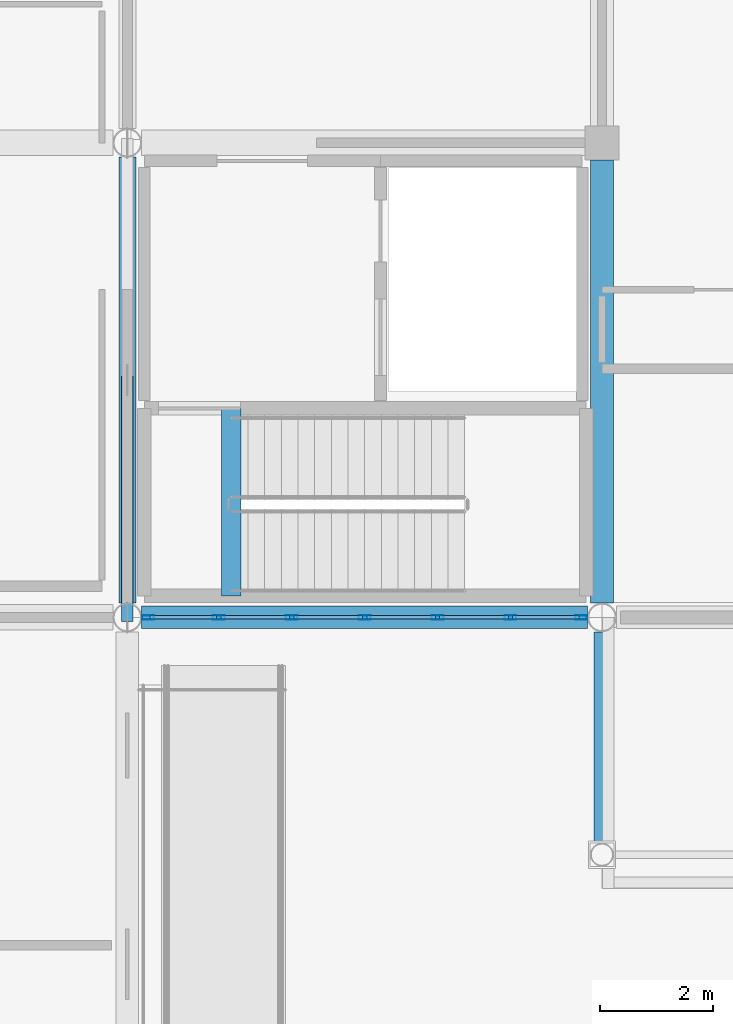
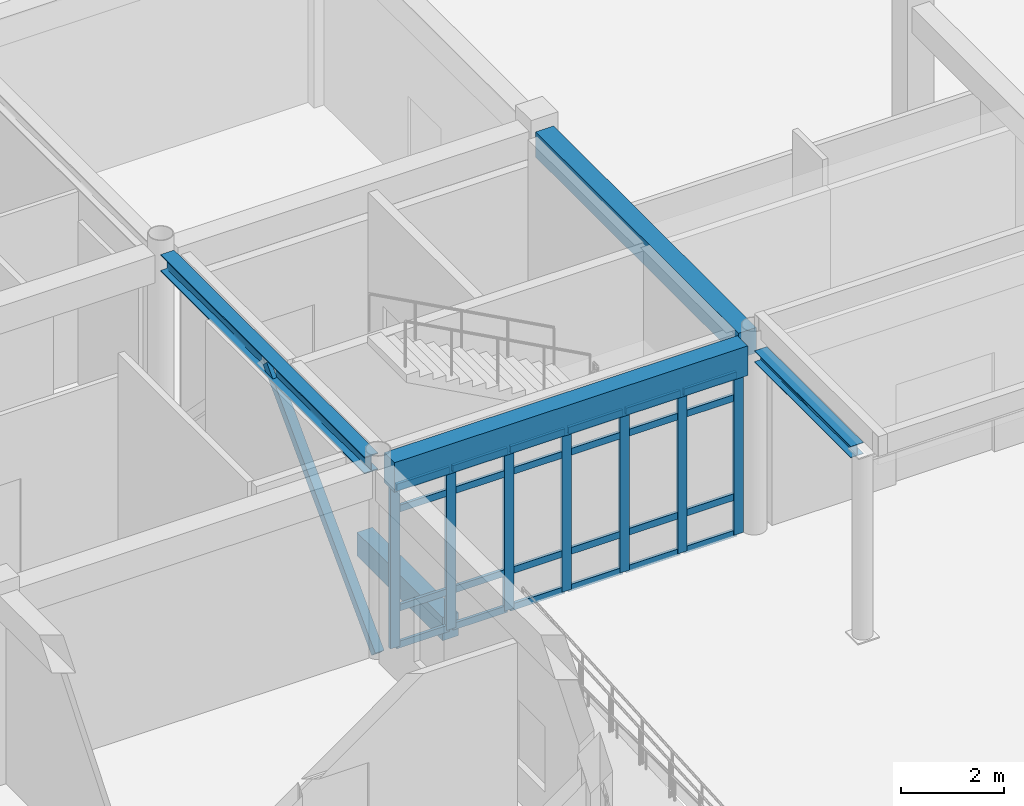
# One storey, part 14 of 138: 32 members, 5 beams, 1 element without a shape of its own.
"""IFC4 building model written with IfcOpenShell, lengths in metres."""

import ifcopenshell
import ifcopenshell.guid

model = None  # the IFC model being written
_history = None  # IfcOwnerHistory: only IFC2X3 demands one
_inside = {}  # id of a spatial element -> (the spatial element, [elements in it])
_under = {}  # id of a project, library or spatial element -> (it, [spatial elements below it])
_declared = {}  # id of a project -> (the project, [libraries it declares])
_typed = {}  # id of a type object -> (the type object, [elements of that type])
_made_of = {}  # id of a material, layer set ... -> (it, [elements and type objects made of it])


def new_model(schema):
    """Start an empty IFC model of exactly this schema.

    Asked for "IFC4X3", IfcOpenShell would pick the latest addendum, in which some entities
    have other attributes; the version numbers below select the first issue.
    IFC2X3 requires an IfcOwnerHistory on every rooted entity: one is made here for all.
    """
    global model, _history
    if schema == "IFC4X3":
        model = ifcopenshell.file(schema_version=(4, 3, 0, 0))
    else:
        model = ifcopenshell.file(schema=schema)
    _inside.clear()
    _under.clear()
    _declared.clear()
    _typed.clear()
    _made_of.clear()
    _history = None
    if model.schema == "IFC2X3":
        org = make("IfcOrganization", Name="unknown")
        user = make(
            "IfcPersonAndOrganization",
            ThePerson=make("IfcPerson", FamilyName="unknown"),
            TheOrganization=org,
        )
        app = make(
            "IfcApplication",
            ApplicationDeveloper=org,
            Version="unknown",
            ApplicationFullName="unknown",
            ApplicationIdentifier="unknown",
        )
        _history = make(
            "IfcOwnerHistory",
            OwningUser=user,
            OwningApplication=app,
            ChangeAction="ADDED",
            CreationDate=0,
        )
    return model


def make(cls, **values):
    """One entity of the class cls with the attributes given. An attribute that is None is left unset."""
    return model.create_entity(
        cls, **{name: value for name, value in values.items() if value is not None}
    )


def rooted(cls, **values):
    """An entity with a GlobalId (a new one), such as an element, a storey or a relation."""
    return make(cls, GlobalId=ifcopenshell.guid.new(), OwnerHistory=_history, **values)


def si_unit(unit_type, name, prefix=None):
    """IfcSIUnit, for example si_unit("LENGTHUNIT", "METRE", prefix="MILLI")."""
    return make("IfcSIUnit", UnitType=unit_type, Prefix=prefix, Name=name)


def assignment(units):
    """IfcUnitAssignment: the units of a project."""
    return None if units is None else make("IfcUnitAssignment", Units=units)


def point(xyz):
    """IfcCartesianPoint."""
    return None if xyz is None else make("IfcCartesianPoint", Coordinates=xyz)


def direction(xyz):
    """IfcDirection."""
    return None if xyz is None else make("IfcDirection", DirectionRatios=xyz)


def frame(location, z_axis=None, x_axis=None):
    """IfcAxis2Placement3D, a coordinate frame: its origin and axes. An axis left out is left unset."""
    return make(
        "IfcAxis2Placement3D",
        Location=point(location),
        Axis=direction(z_axis),
        RefDirection=direction(x_axis),
    )


def frame_2d(location, x_axis=None):
    """IfcAxis2Placement2D, a coordinate frame in the plane: its origin and x axis."""
    return make(
        "IfcAxis2Placement2D", Location=point(location), RefDirection=direction(x_axis)
    )


def origin():
    """The frame at (0, 0, 0) with its axes left unset."""
    return frame((0.0, 0.0, 0.0))


def origin_2d():
    """The frame at (0, 0) in the plane with its x axis left unset."""
    return frame_2d((0.0, 0.0))


def place(relative_to, where):
    """IfcLocalPlacement: puts the frame where relative to a parent placement (None: the world)."""
    return make(
        "IfcLocalPlacement", PlacementRelTo=relative_to, RelativePlacement=where
    )


def context(
    kind, dimensions, precision=None, world=None, true_north=None, identifier=None
):
    """IfcGeometricRepresentationContext, for example the 3D "Model" context."""
    return make(
        "IfcGeometricRepresentationContext",
        ContextIdentifier=identifier,
        ContextType=kind,
        CoordinateSpaceDimension=dimensions,
        Precision=precision,
        WorldCoordinateSystem=world,
        TrueNorth=true_north,
    )


def subcontext(parent, identifier, kind, view, scale=None):
    """IfcGeometricRepresentationSubContext, for example "Body" below "Model"."""
    return make(
        "IfcGeometricRepresentationSubContext",
        ContextIdentifier=identifier,
        ContextType=kind,
        ParentContext=parent,
        TargetScale=scale,
        TargetView=view,
    )


def project(units=None, contexts=None):
    """IfcProject with its units and contexts."""
    return rooted(
        "IfcProject",
        Name="project",
        RepresentationContexts=contexts,
        UnitsInContext=assignment(units),
    )


def spatial(cls, under=None, at=None, **own):
    """A site, building, storey or space (cls), placed at a placement, below another one or the project."""
    s = rooted(cls, ObjectPlacement=at, **own)
    if under is not None:
        _under.setdefault(under.id(), (under, []))[1].append(s)
    return s


def profile(cls, at=None, kind="AREA", **sizes):
    """A parametric profile (cls). Its sizes go by their IFC names, for example OverallWidth=200.0."""
    return make(cls, ProfileType=kind, Position=at, **sizes)


def rectangle(**sizes):
    """IfcRectangleProfileDef."""
    return profile("IfcRectangleProfileDef", **sizes)


def hollow_rectangle(**sizes):
    """IfcRectangleHollowProfileDef."""
    return profile("IfcRectangleHollowProfileDef", **sizes)


def i_section(**sizes):
    """IfcIShapeProfileDef."""
    return profile("IfcIShapeProfileDef", **sizes)


def extrude(swept, where, along, depth):
    """IfcExtrudedAreaSolid: the profile swept, set in the frame where, extruded along a direction by depth."""
    return make(
        "IfcExtrudedAreaSolid",
        SweptArea=swept,
        Position=where,
        ExtrudedDirection=direction(along),
        Depth=depth,
    )


def shape(context_of_items, identifier, shape_type, items):
    """IfcShapeRepresentation: the items that make up one representation, for example the "Body"."""
    return make(
        "IfcShapeRepresentation",
        ContextOfItems=context_of_items,
        RepresentationIdentifier=identifier,
        RepresentationType=shape_type,
        Items=items,
    )


def material(Name=None, Category=None):
    """IfcMaterial."""
    return make("IfcMaterial", Name=Name, Category=Category)


def layer(
    of_material, thickness, ventilated=None, Name=None, Category=None, Priority=None
):
    """IfcMaterialLayer: one layer of a wall or slab, of a material (None: an air gap)."""
    return make(
        "IfcMaterialLayer",
        Material=of_material,
        LayerThickness=thickness,
        IsVentilated=ventilated,
        Name=Name,
        Category=Category,
        Priority=Priority,
    )


def layer_set(layers, Name=None):
    """IfcMaterialLayerSet."""
    return make("IfcMaterialLayerSet", MaterialLayers=layers, LayerSetName=Name)


def material_profile(
    of_material, cross_section, Name=None, Category=None, Priority=None
):
    """IfcMaterialProfile: a cross section and its material."""
    return make(
        "IfcMaterialProfile",
        Name=Name,
        Material=of_material,
        Profile=cross_section,
        Priority=Priority,
        Category=Category,
    )


def profile_set(profiles, Name=None, composite=None):
    """IfcMaterialProfileSet."""
    return make(
        "IfcMaterialProfileSet",
        Name=Name,
        MaterialProfiles=profiles,
        CompositeProfile=composite,
    )


def made_of(thing, what):
    """Note that an element or type object is made of a material, layer set ...; save() writes the relation."""
    if what is not None:
        _made_of.setdefault(what.id(), (what, []))[1].append(thing)
    return thing


def type_object(cls, material=None, **own):
    """A type object (cls), such as IfcWallType, which elements share."""
    return made_of(rooted(cls, **own), material)


def element(
    cls,
    number,
    at=None,
    inside=None,
    cuts=None,
    type_object=None,
    material=None,
    context=None,
    identifier="Body",
    shape_type=None,
    held_by="IfcProductDefinitionShape",
    body=None,
    shapes=None,
    **own,
):
    """One element of the class cls, such as IfcWall. Its Tag is "e" and its number.

    at: its placement. inside: the storey or other place that contains it. cuts: it is an
    opening in that element (IfcRelVoidsElement). A single representation is given by context,
    identifier, shape_type and body (its items); several are given by shapes. held_by: the class
    of the entity that holds the representations. save() writes the other relations.
    """
    e = rooted(cls, Tag="e%d" % number, ObjectPlacement=at, **own)
    if body is not None:
        shapes = [shape(context, identifier, shape_type, body)]
    if shapes is not None:
        e.Representation = make(held_by, Representations=shapes)
    if inside is not None:
        _inside.setdefault(inside.id(), (inside, []))[1].append(e)
    if cuts is not None:
        rooted(
            "IfcRelVoidsElement", RelatingBuildingElement=cuts, RelatedOpeningElement=e
        )
    if type_object is not None:
        _typed.setdefault(type_object.id(), (type_object, []))[1].append(e)
    return made_of(e, material)


def aggregate(whole, parts):
    """IfcRelAggregates: a whole, such as a stair, and the parts it consists of."""
    return rooted("IfcRelAggregates", RelatingObject=whole, RelatedObjects=parts)


def save(model, path):
    """Write the relations noted so far, then the file.

    IfcRelAggregates (storeys below a building ...), IfcRelContainedInSpatialStructure (elements
    in a storey), IfcRelDefinesByType, IfcRelAssociatesMaterial and IfcRelDeclares: one each for
    every whole, place, type object, material and project.
    """
    for whole, parts in _under.values():
        aggregate(whole, parts)
    for where, things in _inside.values():
        rooted(
            "IfcRelContainedInSpatialStructure",
            RelatedElements=things,
            RelatingStructure=where,
        )
    for kind, things in _typed.values():
        rooted("IfcRelDefinesByType", RelatedObjects=things, RelatingType=kind)
    for what, things in _made_of.values():
        rooted("IfcRelAssociatesMaterial", RelatedObjects=things, RelatingMaterial=what)
    for by, libraries in _declared.values():
        rooted("IfcRelDeclares", RelatingContext=by, RelatedDefinitions=libraries)
    model.write(path)


model = new_model("IFC4")

# Units and contexts
model_context = context("Model", 3, precision=1e-05, world=origin(), true_north=direction((0.0, 1.0)))
body_context = subcontext(model_context, "Body", "Model", "MODEL_VIEW")
ifc_project = project(units=[si_unit("LENGTHUNIT", "METRE"), si_unit("AREAUNIT", "SQUARE_METRE"), si_unit("VOLUMEUNIT", "CUBIC_METRE"), si_unit("PLANEANGLEUNIT", "RADIAN"), si_unit("MASSUNIT", "GRAM", prefix="KILO")], contexts=[model_context])

# Site, building, storey
site_placement = place(None, origin())
site = spatial("IfcSite", under=ifc_project, at=site_placement, CompositionType="ELEMENT")
building_placement = place(site_placement, origin())
building = spatial("IfcBuilding", under=site, at=building_placement, Name="Bramfleet General Hospital", CompositionType="ELEMENT")
storey_placement = place(building_placement, origin())
storey = spatial("IfcBuildingStorey", under=building, at=storey_placement, Name="L00", CompositionType="ELEMENT", Elevation=0.0)

# Beams
ifc_material_1 = material(Name="Steel S355", Category="steel")
ifc_material_profile_1 = material_profile(ifc_material_1, i_section(OverallWidth=0.280029296875, OverallDepth=0.27001953125, WebThickness=0.008056640625, FlangeThickness=0.012939453125, FilletRadius=0.02392578125, at=origin_2d()), Name="HEA 280")
ifc_profile_set_1 = profile_set([ifc_material_profile_1], Name="Steel S355")
beam_type_1 = type_object("IfcBeamType", Name="BM-HEA280", PredefinedType="BEAM", material=ifc_profile_set_1)
beam_1_placement = place(storey_placement, frame((58.800048828125, 12.81005859375, 4.2451171875), z_axis=(0.0, 1.0, 0.0), x_axis=(-1.0, 0.0, 0.0)))
element("IfcBeam", 1, at=beam_1_placement, inside=storey, type_object=beam_type_1, Name="Canopy Outrigger Beam 1", PredefinedType="BEAM", context=body_context, shape_type="SweptSolid", body=[
    extrude(i_section(OverallWidth=0.280029296875, OverallDepth=0.27001953125, WebThickness=0.008056640625, FlangeThickness=0.012939453125, FilletRadius=0.02392578125, at=origin_2d()), origin(), (0.0, 0.0, 1.0), 3.72998046875),
])
ifc_material_profile_2 = material_profile(ifc_material_1, i_section(OverallWidth=0.300048828125, OverallDepth=0.39990234375, WebThickness=0.013427734375, FlangeThickness=0.02392578125, FilletRadius=0.027099609375, at=origin_2d()), Name="HEB 400")
ifc_profile_set_2 = profile_set([ifc_material_profile_2], Name="Steel S355")
beam_type_2 = type_object("IfcBeamType", Name="BM-HEB400", PredefinedType="BEAM", material=ifc_profile_set_2)
beam_2_placement = place(storey_placement, frame((50.39990234375, 17.053955078125, 4.300048828125), z_axis=(0.0, 1.0, 0.0), x_axis=(-1.0, 0.0, 0.0)))
element("IfcBeam", 2, at=beam_2_placement, inside=storey, type_object=beam_type_2, Name="L00 Grid Beam Y 06-02", PredefinedType="BEAM", context=body_context, shape_type="SweptSolid", body=[
    extrude(i_section(OverallWidth=0.300048828125, OverallDepth=0.39990234375, WebThickness=0.013427734375, FlangeThickness=0.02392578125, FilletRadius=0.027099609375, at=origin_2d()), origin(), (0.0, 0.0, 1.0), 7.89208984375),
])
ifc_material_2 = material(Name="Concrete C35/45", Category="concrete")
ifc_material_profile_3 = material_profile(ifc_material_2, rectangle(XDim=0.35009765625, YDim=0.550048828125, at=origin_2d()), Name="RC BM 550x350")
ifc_profile_set_3 = profile_set([ifc_material_profile_3], Name="Concrete C35/45")
beam_type_3 = type_object("IfcBeamType", Name="BM-RC550", PredefinedType="BEAM", material=ifc_profile_set_3)
beam_3_placement = place(storey_placement, frame((52.239990234375, 17.179931640625, -0.27490234375), z_axis=(0.0, 1.0, 0.0), x_axis=(-1.0, 0.0, 0.0)))
element("IfcBeam", 3, at=beam_3_placement, inside=storey, type_object=beam_type_3, Name="L00 C1 Stairwell Trimmer Beam", PredefinedType="BEAM", context=body_context, shape_type="SweptSolid", body=[
    extrude(rectangle(XDim=0.35009765625, YDim=0.550048828125, at=origin_2d()), origin(), (0.0, 0.0, 1.0), 3.320068359375),
])
ifc_material_profile_4 = material_profile(ifc_material_2, rectangle(XDim=0.39990234375, YDim=0.60009765625, at=origin_2d()), Name="RC BM 600x400")
ifc_profile_set_4 = profile_set([ifc_material_profile_4], Name="Concrete C35/45")
beam_type_4 = type_object("IfcBeamType", Name="BM-RC600", PredefinedType="BEAM", material=ifc_profile_set_4)
beam_4_placement = place(storey_placement, frame((58.800048828125, 17.053955078125, 4.199951171875), z_axis=(0.0, 1.0, 0.0), x_axis=(-1.0, 0.0, 0.0)))
element("IfcBeam", 4, at=beam_4_placement, inside=storey, type_object=beam_type_4, Name="L00 Grid Beam Y 07-02", PredefinedType="BEAM", context=body_context, shape_type="SweptSolid", body=[
    extrude(rectangle(XDim=0.39990234375, YDim=0.60009765625, at=origin_2d()), origin(), (0.0, 0.0, 1.0), 7.845947265625),
])
ifc_material_profile_5 = material_profile(ifc_material_2, rectangle(XDim=0.39990234375, YDim=0.699951171875, at=origin_2d()), Name="RC SP 700x400")
ifc_profile_set_5 = profile_set([ifc_material_profile_5], Name="Concrete C35/45")
beam_type_5 = type_object("IfcBeamType", Name="BM-SP700", PredefinedType="SPANDREL", material=ifc_profile_set_5)
beam_5_placement = place(storey_placement, frame((50.654052734375, 16.800048828125, 4.14990234375), z_axis=(1.0, 0.0, 0.0), x_axis=(0.0, 1.0, 0.0)))
element("IfcBeam", 5, at=beam_5_placement, inside=storey, type_object=beam_type_5, Name="L00 Grid Beam X 06-02", PredefinedType="SPANDREL", context=body_context, shape_type="SweptSolid", body=[
    extrude(rectangle(XDim=0.39990234375, YDim=0.699951171875, at=origin_2d()), origin(), (0.0, 0.0, 1.0), 7.891845703125),
])

# Curtain wall, members
ifc_material_3 = material(Name="Anodised aluminium and low-E triple glazing", Category="aluminium")
ifc_layer = layer(ifc_material_3, 0.179931640625, Name="CWT-CW-18")
ifc_layer_set = layer_set([ifc_layer], Name="Anodised aluminium and low-E triple glazing")
curtain_wall_type = type_object("IfcCurtainWallType", Name="CWT-CW-18", PredefinedType="USERDEFINED", material=ifc_layer_set)
curtain_wall_placement = place(storey_placement, origin())
curtain_wall = element("IfcCurtainWall", 6, at=curtain_wall_placement, inside=storey, type_object=curtain_wall_type, Name="L00 Curtain Wall 36", ObjectType="Stick curtain wall", PredefinedType="USERDEFINED")
ifc_material_4 = material(Name="Anodised aluminium EN AW-6060", Category="aluminium")
ifc_material_profile_6 = material_profile(ifc_material_4, hollow_rectangle(XDim=0.074951171875, YDim=0.2099609375, WallThickness=0.00439453125, at=origin_2d()), Name="ALU 210x75x4.5")
ifc_profile_set_6 = profile_set([ifc_material_profile_6], Name="Anodised aluminium EN AW-6060")
member_type_1 = type_object("IfcMemberType", Name="CWM-ALU210", PredefinedType="MULLION", material=ifc_profile_set_6)
member_1_placement = place(storey_placement, frame((58.43359375, 16.800048828125, 0.0), z_axis=(0.0, 0.0, 1.0), x_axis=(0.0, -1.0, 0.0)))
member_1 = element("IfcMember", 7, at=member_1_placement, type_object=member_type_1, Name="CW-18 mullion 1", PredefinedType="MULLION", context=body_context, shape_type="SweptSolid", body=[
    extrude(hollow_rectangle(XDim=0.074951171875, YDim=0.2099609375, WallThickness=0.00439453125, at=origin_2d()), origin(), (0.0, 0.0, 1.0), 3.7900390625),
])
member_2_placement = place(storey_placement, frame((57.1806640625, 16.800048828125, 0.0), z_axis=(0.0, 0.0, 1.0), x_axis=(0.0, -1.0, 0.0)))
member_2 = element("IfcMember", 8, at=member_2_placement, type_object=member_type_1, Name="CW-18 mullion 2", PredefinedType="MULLION", context=body_context, shape_type="SweptSolid", body=[
    extrude(hollow_rectangle(XDim=0.074951171875, YDim=0.2099609375, WallThickness=0.00439453125, at=origin_2d()), origin(), (0.0, 0.0, 1.0), 3.7900390625),
])
member_3_placement = place(storey_placement, frame((55.890380859375, 16.800048828125, 0.0), z_axis=(0.0, 0.0, 1.0), x_axis=(0.0, -1.0, 0.0)))
member_3 = element("IfcMember", 9, at=member_3_placement, type_object=member_type_1, Name="CW-18 mullion 3", PredefinedType="MULLION", context=body_context, shape_type="SweptSolid", body=[
    extrude(hollow_rectangle(XDim=0.074951171875, YDim=0.2099609375, WallThickness=0.00439453125, at=origin_2d()), origin(), (0.0, 0.0, 1.0), 3.7900390625),
])
member_4_placement = place(storey_placement, frame((54.60009765625, 16.800048828125, 0.0), z_axis=(0.0, 0.0, 1.0), x_axis=(0.0, -1.0, 0.0)))
member_4 = element("IfcMember", 10, at=member_4_placement, type_object=member_type_1, Name="CW-18 mullion 4", PredefinedType="MULLION", context=body_context, shape_type="SweptSolid", body=[
    extrude(hollow_rectangle(XDim=0.074951171875, YDim=0.2099609375, WallThickness=0.00439453125, at=origin_2d()), origin(), (0.0, 0.0, 1.0), 3.7900390625),
])
member_5_placement = place(storey_placement, frame((53.3095703125, 16.800048828125, 0.0), z_axis=(0.0, 0.0, 1.0), x_axis=(0.0, -1.0, 0.0)))
member_5 = element("IfcMember", 11, at=member_5_placement, type_object=member_type_1, Name="CW-18 mullion 5", PredefinedType="MULLION", context=body_context, shape_type="SweptSolid", body=[
    extrude(hollow_rectangle(XDim=0.074951171875, YDim=0.2099609375, WallThickness=0.00439453125, at=origin_2d()), origin(), (0.0, 0.0, 1.0), 3.7900390625),
])
member_6_placement = place(storey_placement, frame((52.019287109375, 16.800048828125, 0.0), z_axis=(0.0, 0.0, 1.0), x_axis=(0.0, -1.0, 0.0)))
member_6 = element("IfcMember", 12, at=member_6_placement, type_object=member_type_1, Name="CW-18 mullion 6", PredefinedType="MULLION", context=body_context, shape_type="SweptSolid", body=[
    extrude(hollow_rectangle(XDim=0.074951171875, YDim=0.2099609375, WallThickness=0.00439453125, at=origin_2d()), origin(), (0.0, 0.0, 1.0), 3.7900390625),
])
member_7_placement = place(storey_placement, frame((50.7666015625, 16.800048828125, 0.0), z_axis=(0.0, 0.0, 1.0), x_axis=(0.0, -1.0, 0.0)))
member_7 = element("IfcMember", 13, at=member_7_placement, type_object=member_type_1, Name="CW-18 mullion 7", PredefinedType="MULLION", context=body_context, shape_type="SweptSolid", body=[
    extrude(hollow_rectangle(XDim=0.074951171875, YDim=0.2099609375, WallThickness=0.00439453125, at=origin_2d()), origin(), (0.0, 0.0, 1.0), 3.7900390625),
])
ifc_material_profile_7 = material_profile(ifc_material_4, hollow_rectangle(XDim=0.06494140625, YDim=0.159912109375, WallThickness=0.00390625, at=origin_2d()), Name="ALU 160x65x4.0")
ifc_profile_set_7 = profile_set([ifc_material_profile_7], Name="Anodised aluminium EN AW-6060")
member_type_2 = type_object("IfcMemberType", Name="CWT-ALU160", PredefinedType="USERDEFINED", material=ifc_profile_set_7)
member_8_placement = place(storey_placement, frame((58.39599609375, 16.800048828125, 0.032470703125), z_axis=(-1.0, 0.0, 0.0), x_axis=(0.0, -1.0, 0.0)))
member_8 = element("IfcMember", 14, at=member_8_placement, type_object=member_type_2, Name="CW-18 transom 1.1", ObjectType="TRANSOM", PredefinedType="USERDEFINED", context=body_context, shape_type="SweptSolid", body=[
    extrude(hollow_rectangle(XDim=0.06494140625, YDim=0.159912109375, WallThickness=0.00390625, at=origin_2d()), origin(), (0.0, 0.0, 1.0), 1.177734375),
])
member_9_placement = place(storey_placement, frame((58.39599609375, 16.800048828125, 0.89990234375), z_axis=(-1.0, 0.0, 0.0), x_axis=(0.0, -1.0, 0.0)))
member_9 = element("IfcMember", 15, at=member_9_placement, type_object=member_type_2, Name="CW-18 transom 1.2", ObjectType="TRANSOM", PredefinedType="USERDEFINED", context=body_context, shape_type="SweptSolid", body=[
    extrude(hollow_rectangle(XDim=0.06494140625, YDim=0.159912109375, WallThickness=0.00390625, at=origin_2d()), origin(), (0.0, 0.0, 1.0), 1.177734375),
])
member_10_placement = place(storey_placement, frame((58.39599609375, 16.800048828125, 3.239990234375), z_axis=(-1.0, 0.0, 0.0), x_axis=(0.0, -1.0, 0.0)))
member_10 = element("IfcMember", 16, at=member_10_placement, type_object=member_type_2, Name="CW-18 transom 1.3", ObjectType="TRANSOM", PredefinedType="USERDEFINED", context=body_context, shape_type="SweptSolid", body=[
    extrude(hollow_rectangle(XDim=0.06494140625, YDim=0.159912109375, WallThickness=0.00390625, at=origin_2d()), origin(), (0.0, 0.0, 1.0), 1.177734375),
])
member_11_placement = place(storey_placement, frame((58.39599609375, 16.800048828125, 3.757568359375), z_axis=(-1.0, 0.0, 0.0), x_axis=(0.0, -1.0, 0.0)))
member_11 = element("IfcMember", 17, at=member_11_placement, type_object=member_type_2, Name="CW-18 transom 1.4", ObjectType="TRANSOM", PredefinedType="USERDEFINED", context=body_context, shape_type="SweptSolid", body=[
    extrude(hollow_rectangle(XDim=0.06494140625, YDim=0.159912109375, WallThickness=0.00390625, at=origin_2d()), origin(), (0.0, 0.0, 1.0), 1.177734375),
])
member_12_placement = place(storey_placement, frame((57.14306640625, 16.800048828125, 0.032470703125), z_axis=(-1.0, 0.0, 0.0), x_axis=(0.0, -1.0, 0.0)))
member_12 = element("IfcMember", 18, at=member_12_placement, type_object=member_type_2, Name="CW-18 transom 2.1", ObjectType="TRANSOM", PredefinedType="USERDEFINED", context=body_context, shape_type="SweptSolid", body=[
    extrude(hollow_rectangle(XDim=0.06494140625, YDim=0.159912109375, WallThickness=0.00390625, at=origin_2d()), origin(), (0.0, 0.0, 1.0), 1.21533203125),
])
member_13_placement = place(storey_placement, frame((57.14306640625, 16.800048828125, 0.89990234375), z_axis=(-1.0, 0.0, 0.0), x_axis=(0.0, -1.0, 0.0)))
member_13 = element("IfcMember", 19, at=member_13_placement, type_object=member_type_2, Name="CW-18 transom 2.2", ObjectType="TRANSOM", PredefinedType="USERDEFINED", context=body_context, shape_type="SweptSolid", body=[
    extrude(hollow_rectangle(XDim=0.06494140625, YDim=0.159912109375, WallThickness=0.00390625, at=origin_2d()), origin(), (0.0, 0.0, 1.0), 1.21533203125),
])
member_14_placement = place(storey_placement, frame((57.14306640625, 16.800048828125, 3.239990234375), z_axis=(-1.0, 0.0, 0.0), x_axis=(0.0, -1.0, 0.0)))
member_14 = element("IfcMember", 20, at=member_14_placement, type_object=member_type_2, Name="CW-18 transom 2.3", ObjectType="TRANSOM", PredefinedType="USERDEFINED", context=body_context, shape_type="SweptSolid", body=[
    extrude(hollow_rectangle(XDim=0.06494140625, YDim=0.159912109375, WallThickness=0.00390625, at=origin_2d()), origin(), (0.0, 0.0, 1.0), 1.21533203125),
])
member_15_placement = place(storey_placement, frame((57.14306640625, 16.800048828125, 3.757568359375), z_axis=(-1.0, 0.0, 0.0), x_axis=(0.0, -1.0, 0.0)))
member_15 = element("IfcMember", 21, at=member_15_placement, type_object=member_type_2, Name="CW-18 transom 2.4", ObjectType="TRANSOM", PredefinedType="USERDEFINED", context=body_context, shape_type="SweptSolid", body=[
    extrude(hollow_rectangle(XDim=0.06494140625, YDim=0.159912109375, WallThickness=0.00390625, at=origin_2d()), origin(), (0.0, 0.0, 1.0), 1.21533203125),
])
member_16_placement = place(storey_placement, frame((55.852783203125, 16.800048828125, 0.032470703125), z_axis=(-1.0, 0.0, 0.0), x_axis=(0.0, -1.0, 0.0)))
member_16 = element("IfcMember", 22, at=member_16_placement, type_object=member_type_2, Name="CW-18 transom 3.1", ObjectType="TRANSOM", PredefinedType="USERDEFINED", context=body_context, shape_type="SweptSolid", body=[
    extrude(hollow_rectangle(XDim=0.06494140625, YDim=0.159912109375, WallThickness=0.00390625, at=origin_2d()), origin(), (0.0, 0.0, 1.0), 1.21533203125),
])
member_17_placement = place(storey_placement, frame((55.852783203125, 16.800048828125, 0.89990234375), z_axis=(-1.0, 0.0, 0.0), x_axis=(0.0, -1.0, 0.0)))
member_17 = element("IfcMember", 23, at=member_17_placement, type_object=member_type_2, Name="CW-18 transom 3.2", ObjectType="TRANSOM", PredefinedType="USERDEFINED", context=body_context, shape_type="SweptSolid", body=[
    extrude(hollow_rectangle(XDim=0.06494140625, YDim=0.159912109375, WallThickness=0.00390625, at=origin_2d()), origin(), (0.0, 0.0, 1.0), 1.21533203125),
])
member_18_placement = place(storey_placement, frame((55.852783203125, 16.800048828125, 3.239990234375), z_axis=(-1.0, 0.0, 0.0), x_axis=(0.0, -1.0, 0.0)))
member_18 = element("IfcMember", 24, at=member_18_placement, type_object=member_type_2, Name="CW-18 transom 3.3", ObjectType="TRANSOM", PredefinedType="USERDEFINED", context=body_context, shape_type="SweptSolid", body=[
    extrude(hollow_rectangle(XDim=0.06494140625, YDim=0.159912109375, WallThickness=0.00390625, at=origin_2d()), origin(), (0.0, 0.0, 1.0), 1.21533203125),
])
member_19_placement = place(storey_placement, frame((55.852783203125, 16.800048828125, 3.757568359375), z_axis=(-1.0, 0.0, 0.0), x_axis=(0.0, -1.0, 0.0)))
member_19 = element("IfcMember", 25, at=member_19_placement, type_object=member_type_2, Name="CW-18 transom 3.4", ObjectType="TRANSOM", PredefinedType="USERDEFINED", context=body_context, shape_type="SweptSolid", body=[
    extrude(hollow_rectangle(XDim=0.06494140625, YDim=0.159912109375, WallThickness=0.00390625, at=origin_2d()), origin(), (0.0, 0.0, 1.0), 1.21533203125),
])
member_20_placement = place(storey_placement, frame((54.5625, 16.800048828125, 0.032470703125), z_axis=(-1.0, 0.0, 0.0), x_axis=(0.0, -1.0, 0.0)))
member_20 = element("IfcMember", 26, at=member_20_placement, type_object=member_type_2, Name="CW-18 transom 4.1", ObjectType="TRANSOM", PredefinedType="USERDEFINED", context=body_context, shape_type="SweptSolid", body=[
    extrude(hollow_rectangle(XDim=0.06494140625, YDim=0.159912109375, WallThickness=0.00390625, at=origin_2d()), origin(), (0.0, 0.0, 1.0), 1.21533203125),
])
member_21_placement = place(storey_placement, frame((54.5625, 16.800048828125, 0.89990234375), z_axis=(-1.0, 0.0, 0.0), x_axis=(0.0, -1.0, 0.0)))
member_21 = element("IfcMember", 27, at=member_21_placement, type_object=member_type_2, Name="CW-18 transom 4.2", ObjectType="TRANSOM", PredefinedType="USERDEFINED", context=body_context, shape_type="SweptSolid", body=[
    extrude(hollow_rectangle(XDim=0.06494140625, YDim=0.159912109375, WallThickness=0.00390625, at=origin_2d()), origin(), (0.0, 0.0, 1.0), 1.21533203125),
])
member_22_placement = place(storey_placement, frame((54.5625, 16.800048828125, 3.239990234375), z_axis=(-1.0, 0.0, 0.0), x_axis=(0.0, -1.0, 0.0)))
member_22 = element("IfcMember", 28, at=member_22_placement, type_object=member_type_2, Name="CW-18 transom 4.3", ObjectType="TRANSOM", PredefinedType="USERDEFINED", context=body_context, shape_type="SweptSolid", body=[
    extrude(hollow_rectangle(XDim=0.06494140625, YDim=0.159912109375, WallThickness=0.00390625, at=origin_2d()), origin(), (0.0, 0.0, 1.0), 1.21533203125),
])
member_23_placement = place(storey_placement, frame((54.5625, 16.800048828125, 3.757568359375), z_axis=(-1.0, 0.0, 0.0), x_axis=(0.0, -1.0, 0.0)))
member_23 = element("IfcMember", 29, at=member_23_placement, type_object=member_type_2, Name="CW-18 transom 4.4", ObjectType="TRANSOM", PredefinedType="USERDEFINED", context=body_context, shape_type="SweptSolid", body=[
    extrude(hollow_rectangle(XDim=0.06494140625, YDim=0.159912109375, WallThickness=0.00390625, at=origin_2d()), origin(), (0.0, 0.0, 1.0), 1.21533203125),
])
member_24_placement = place(storey_placement, frame((53.272216796875, 16.800048828125, 0.032470703125), z_axis=(-1.0, 0.0, 0.0), x_axis=(0.0, -1.0, 0.0)))
member_24 = element("IfcMember", 30, at=member_24_placement, type_object=member_type_2, Name="CW-18 transom 5.1", ObjectType="TRANSOM", PredefinedType="USERDEFINED", context=body_context, shape_type="SweptSolid", body=[
    extrude(hollow_rectangle(XDim=0.06494140625, YDim=0.159912109375, WallThickness=0.00390625, at=origin_2d()), origin(), (0.0, 0.0, 1.0), 1.21533203125),
])
member_25_placement = place(storey_placement, frame((53.272216796875, 16.800048828125, 0.89990234375), z_axis=(-1.0, 0.0, 0.0), x_axis=(0.0, -1.0, 0.0)))
member_25 = element("IfcMember", 31, at=member_25_placement, type_object=member_type_2, Name="CW-18 transom 5.2", ObjectType="TRANSOM", PredefinedType="USERDEFINED", context=body_context, shape_type="SweptSolid", body=[
    extrude(hollow_rectangle(XDim=0.06494140625, YDim=0.159912109375, WallThickness=0.00390625, at=origin_2d()), origin(), (0.0, 0.0, 1.0), 1.21533203125),
])
member_26_placement = place(storey_placement, frame((53.272216796875, 16.800048828125, 3.239990234375), z_axis=(-1.0, 0.0, 0.0), x_axis=(0.0, -1.0, 0.0)))
member_26 = element("IfcMember", 32, at=member_26_placement, type_object=member_type_2, Name="CW-18 transom 5.3", ObjectType="TRANSOM", PredefinedType="USERDEFINED", context=body_context, shape_type="SweptSolid", body=[
    extrude(hollow_rectangle(XDim=0.06494140625, YDim=0.159912109375, WallThickness=0.00390625, at=origin_2d()), origin(), (0.0, 0.0, 1.0), 1.21533203125),
])
member_27_placement = place(storey_placement, frame((53.272216796875, 16.800048828125, 3.757568359375), z_axis=(-1.0, 0.0, 0.0), x_axis=(0.0, -1.0, 0.0)))
member_27 = element("IfcMember", 33, at=member_27_placement, type_object=member_type_2, Name="CW-18 transom 5.4", ObjectType="TRANSOM", PredefinedType="USERDEFINED", context=body_context, shape_type="SweptSolid", body=[
    extrude(hollow_rectangle(XDim=0.06494140625, YDim=0.159912109375, WallThickness=0.00390625, at=origin_2d()), origin(), (0.0, 0.0, 1.0), 1.21533203125),
])
member_28_placement = place(storey_placement, frame((51.98193359375, 16.800048828125, 0.032470703125), z_axis=(-1.0, 0.0, 0.0), x_axis=(0.0, -1.0, 0.0)))
member_28 = element("IfcMember", 34, at=member_28_placement, type_object=member_type_2, Name="CW-18 transom 6.1", ObjectType="TRANSOM", PredefinedType="USERDEFINED", context=body_context, shape_type="SweptSolid", body=[
    extrude(hollow_rectangle(XDim=0.06494140625, YDim=0.159912109375, WallThickness=0.00390625, at=origin_2d()), origin(), (0.0, 0.0, 1.0), 1.177978515625),
])
member_29_placement = place(storey_placement, frame((51.98193359375, 16.800048828125, 0.89990234375), z_axis=(-1.0, 0.0, 0.0), x_axis=(0.0, -1.0, 0.0)))
member_29 = element("IfcMember", 35, at=member_29_placement, type_object=member_type_2, Name="CW-18 transom 6.2", ObjectType="TRANSOM", PredefinedType="USERDEFINED", context=body_context, shape_type="SweptSolid", body=[
    extrude(hollow_rectangle(XDim=0.06494140625, YDim=0.159912109375, WallThickness=0.00390625, at=origin_2d()), origin(), (0.0, 0.0, 1.0), 1.177978515625),
])
member_30_placement = place(storey_placement, frame((51.98193359375, 16.800048828125, 3.239990234375), z_axis=(-1.0, 0.0, 0.0), x_axis=(0.0, -1.0, 0.0)))
member_30 = element("IfcMember", 36, at=member_30_placement, type_object=member_type_2, Name="CW-18 transom 6.3", ObjectType="TRANSOM", PredefinedType="USERDEFINED", context=body_context, shape_type="SweptSolid", body=[
    extrude(hollow_rectangle(XDim=0.06494140625, YDim=0.159912109375, WallThickness=0.00390625, at=origin_2d()), origin(), (0.0, 0.0, 1.0), 1.177978515625),
])
member_31_placement = place(storey_placement, frame((51.98193359375, 16.800048828125, 3.757568359375), z_axis=(-1.0, 0.0, 0.0), x_axis=(0.0, -1.0, 0.0)))
member_31 = element("IfcMember", 37, at=member_31_placement, type_object=member_type_2, Name="CW-18 transom 6.4", ObjectType="TRANSOM", PredefinedType="USERDEFINED", context=body_context, shape_type="SweptSolid", body=[
    extrude(hollow_rectangle(XDim=0.06494140625, YDim=0.159912109375, WallThickness=0.00390625, at=origin_2d()), origin(), (0.0, 0.0, 1.0), 1.177978515625),
])
aggregate(curtain_wall, [member_1, member_2, member_3, member_4, member_5, member_6, member_7, member_8, member_9, member_10, member_11, member_12, member_13, member_14, member_15, member_16, member_17, member_18, member_19, member_20, member_21, member_22, member_23, member_24, member_25, member_26, member_27, member_28, member_29, member_30, member_31])

# Member
ifc_material_profile_8 = material_profile(ifc_material_1, hollow_rectangle(XDim=0.199951171875, YDim=0.199951171875, WallThickness=0.012451171875, at=origin_2d()), Name="SHS 200x200x12.5")
ifc_profile_set_8 = profile_set([ifc_material_profile_8], Name="Steel S355")
member_type_3 = type_object("IfcMemberType", Name="MEM-BR-SHS200", PredefinedType="BRACE", material=ifc_profile_set_8)
member_32_placement = place(storey_placement, frame((50.39990234375, 16.800048828125, -0.02001953125), z_axis=(0.0, 0.697068556516, 0.717004482215), x_axis=(-1.0, 0.0, 0.0)))
element("IfcMember", 38, at=member_32_placement, inside=storey, type_object=member_type_3, Name="L00 Chevron Brace 1A", PredefinedType="BRACE", context=body_context, shape_type="SweptSolid", body=[
    extrude(hollow_rectangle(XDim=0.199951171875, YDim=0.199951171875, WallThickness=0.012451171875, at=origin_2d()), origin(), (0.0, 0.0, 1.0), 6.025146484375),
])

save(model, "model.ifc")
